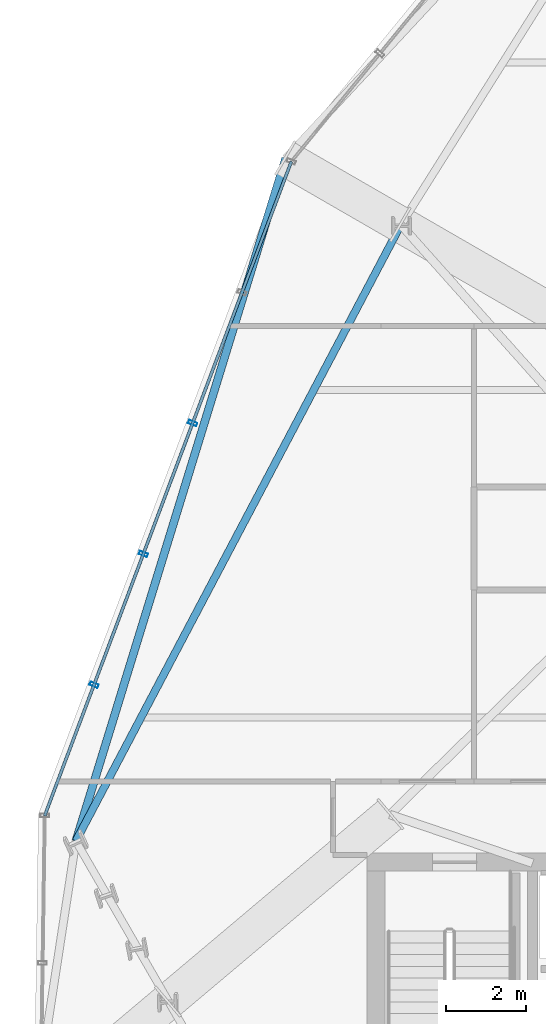
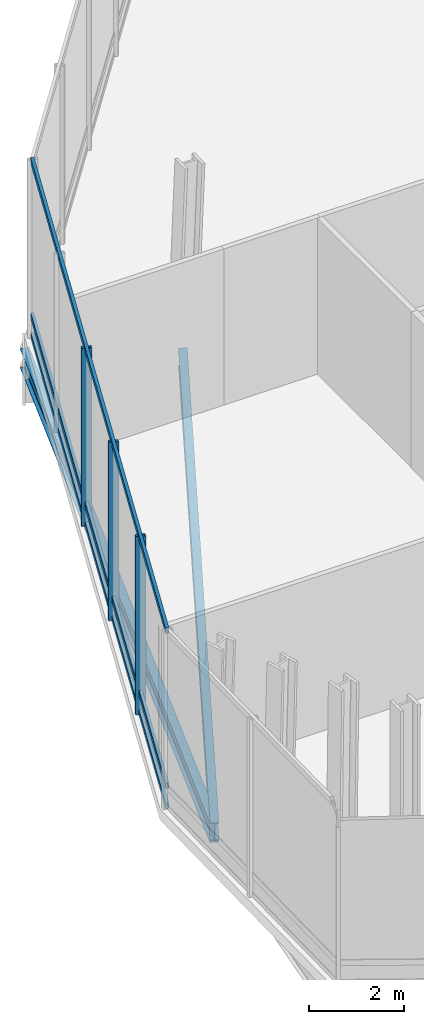
# One storey, part 6 of 26: 6 members, 2 beams, 1 element without a shape of its own.
"""IFC4 building model written with IfcOpenShell, lengths in metres."""

import ifcopenshell
import ifcopenshell.guid

model = None  # the IFC model being written
_history = None  # IfcOwnerHistory: only IFC2X3 demands one
_inside = {}  # id of a spatial element -> (the spatial element, [elements in it])
_under = {}  # id of a project, library or spatial element -> (it, [spatial elements below it])
_declared = {}  # id of a project -> (the project, [libraries it declares])
_typed = {}  # id of a type object -> (the type object, [elements of that type])
_made_of = {}  # id of a material, layer set ... -> (it, [elements and type objects made of it])


def new_model(schema):
    """Start an empty IFC model of exactly this schema.

    Asked for "IFC4X3", IfcOpenShell would pick the latest addendum, in which some entities
    have other attributes; the version numbers below select the first issue.
    IFC2X3 requires an IfcOwnerHistory on every rooted entity: one is made here for all.
    """
    global model, _history
    if schema == "IFC4X3":
        model = ifcopenshell.file(schema_version=(4, 3, 0, 0))
    else:
        model = ifcopenshell.file(schema=schema)
    _inside.clear()
    _under.clear()
    _declared.clear()
    _typed.clear()
    _made_of.clear()
    _history = None
    if model.schema == "IFC2X3":
        org = make("IfcOrganization", Name="unknown")
        user = make(
            "IfcPersonAndOrganization",
            ThePerson=make("IfcPerson", FamilyName="unknown"),
            TheOrganization=org,
        )
        app = make(
            "IfcApplication",
            ApplicationDeveloper=org,
            Version="unknown",
            ApplicationFullName="unknown",
            ApplicationIdentifier="unknown",
        )
        _history = make(
            "IfcOwnerHistory",
            OwningUser=user,
            OwningApplication=app,
            ChangeAction="ADDED",
            CreationDate=0,
        )
    return model


def make(cls, **values):
    """One entity of the class cls with the attributes given. An attribute that is None is left unset."""
    return model.create_entity(
        cls, **{name: value for name, value in values.items() if value is not None}
    )


def rooted(cls, **values):
    """An entity with a GlobalId (a new one), such as an element, a storey or a relation."""
    return make(cls, GlobalId=ifcopenshell.guid.new(), OwnerHistory=_history, **values)


def si_unit(unit_type, name, prefix=None):
    """IfcSIUnit, for example si_unit("LENGTHUNIT", "METRE", prefix="MILLI")."""
    return make("IfcSIUnit", UnitType=unit_type, Prefix=prefix, Name=name)


def assignment(units):
    """IfcUnitAssignment: the units of a project."""
    return None if units is None else make("IfcUnitAssignment", Units=units)


def point(xyz):
    """IfcCartesianPoint."""
    return None if xyz is None else make("IfcCartesianPoint", Coordinates=xyz)


def direction(xyz):
    """IfcDirection."""
    return None if xyz is None else make("IfcDirection", DirectionRatios=xyz)


def frame(location, z_axis=None, x_axis=None):
    """IfcAxis2Placement3D, a coordinate frame: its origin and axes. An axis left out is left unset."""
    return make(
        "IfcAxis2Placement3D",
        Location=point(location),
        Axis=direction(z_axis),
        RefDirection=direction(x_axis),
    )


def frame_2d(location, x_axis=None):
    """IfcAxis2Placement2D, a coordinate frame in the plane: its origin and x axis."""
    return make(
        "IfcAxis2Placement2D", Location=point(location), RefDirection=direction(x_axis)
    )


def origin():
    """The frame at (0, 0, 0) with its axes left unset."""
    return frame((0.0, 0.0, 0.0))


def origin_2d():
    """The frame at (0, 0) in the plane with its x axis left unset."""
    return frame_2d((0.0, 0.0))


def place(relative_to, where):
    """IfcLocalPlacement: puts the frame where relative to a parent placement (None: the world)."""
    return make(
        "IfcLocalPlacement", PlacementRelTo=relative_to, RelativePlacement=where
    )


def context(
    kind, dimensions, precision=None, world=None, true_north=None, identifier=None
):
    """IfcGeometricRepresentationContext, for example the 3D "Model" context."""
    return make(
        "IfcGeometricRepresentationContext",
        ContextIdentifier=identifier,
        ContextType=kind,
        CoordinateSpaceDimension=dimensions,
        Precision=precision,
        WorldCoordinateSystem=world,
        TrueNorth=true_north,
    )


def subcontext(parent, identifier, kind, view, scale=None):
    """IfcGeometricRepresentationSubContext, for example "Body" below "Model"."""
    return make(
        "IfcGeometricRepresentationSubContext",
        ContextIdentifier=identifier,
        ContextType=kind,
        ParentContext=parent,
        TargetScale=scale,
        TargetView=view,
    )


def project(units=None, contexts=None):
    """IfcProject with its units and contexts."""
    return rooted(
        "IfcProject",
        Name="project",
        RepresentationContexts=contexts,
        UnitsInContext=assignment(units),
    )


def spatial(cls, under=None, at=None, **own):
    """A site, building, storey or space (cls), placed at a placement, below another one or the project."""
    s = rooted(cls, ObjectPlacement=at, **own)
    if under is not None:
        _under.setdefault(under.id(), (under, []))[1].append(s)
    return s


def profile(cls, at=None, kind="AREA", **sizes):
    """A parametric profile (cls). Its sizes go by their IFC names, for example OverallWidth=200.0."""
    return make(cls, ProfileType=kind, Position=at, **sizes)


def hollow_rectangle(**sizes):
    """IfcRectangleHollowProfileDef."""
    return profile("IfcRectangleHollowProfileDef", **sizes)


def i_section(**sizes):
    """IfcIShapeProfileDef."""
    return profile("IfcIShapeProfileDef", **sizes)


def extrude(swept, where, along, depth):
    """IfcExtrudedAreaSolid: the profile swept, set in the frame where, extruded along a direction by depth."""
    return make(
        "IfcExtrudedAreaSolid",
        SweptArea=swept,
        Position=where,
        ExtrudedDirection=direction(along),
        Depth=depth,
    )


def shape(context_of_items, identifier, shape_type, items):
    """IfcShapeRepresentation: the items that make up one representation, for example the "Body"."""
    return make(
        "IfcShapeRepresentation",
        ContextOfItems=context_of_items,
        RepresentationIdentifier=identifier,
        RepresentationType=shape_type,
        Items=items,
    )


def material(Name=None, Category=None):
    """IfcMaterial."""
    return make("IfcMaterial", Name=Name, Category=Category)


def layer(
    of_material, thickness, ventilated=None, Name=None, Category=None, Priority=None
):
    """IfcMaterialLayer: one layer of a wall or slab, of a material (None: an air gap)."""
    return make(
        "IfcMaterialLayer",
        Material=of_material,
        LayerThickness=thickness,
        IsVentilated=ventilated,
        Name=Name,
        Category=Category,
        Priority=Priority,
    )


def layer_set(layers, Name=None):
    """IfcMaterialLayerSet."""
    return make("IfcMaterialLayerSet", MaterialLayers=layers, LayerSetName=Name)


def material_profile(
    of_material, cross_section, Name=None, Category=None, Priority=None
):
    """IfcMaterialProfile: a cross section and its material."""
    return make(
        "IfcMaterialProfile",
        Name=Name,
        Material=of_material,
        Profile=cross_section,
        Priority=Priority,
        Category=Category,
    )


def profile_set(profiles, Name=None, composite=None):
    """IfcMaterialProfileSet."""
    return make(
        "IfcMaterialProfileSet",
        Name=Name,
        MaterialProfiles=profiles,
        CompositeProfile=composite,
    )


def made_of(thing, what):
    """Note that an element or type object is made of a material, layer set ...; save() writes the relation."""
    if what is not None:
        _made_of.setdefault(what.id(), (what, []))[1].append(thing)
    return thing


def type_object(cls, material=None, **own):
    """A type object (cls), such as IfcWallType, which elements share."""
    return made_of(rooted(cls, **own), material)


def element(
    cls,
    number,
    at=None,
    inside=None,
    cuts=None,
    type_object=None,
    material=None,
    context=None,
    identifier="Body",
    shape_type=None,
    held_by="IfcProductDefinitionShape",
    body=None,
    shapes=None,
    **own,
):
    """One element of the class cls, such as IfcWall. Its Tag is "e" and its number.

    at: its placement. inside: the storey or other place that contains it. cuts: it is an
    opening in that element (IfcRelVoidsElement). A single representation is given by context,
    identifier, shape_type and body (its items); several are given by shapes. held_by: the class
    of the entity that holds the representations. save() writes the other relations.
    """
    e = rooted(cls, Tag="e%d" % number, ObjectPlacement=at, **own)
    if body is not None:
        shapes = [shape(context, identifier, shape_type, body)]
    if shapes is not None:
        e.Representation = make(held_by, Representations=shapes)
    if inside is not None:
        _inside.setdefault(inside.id(), (inside, []))[1].append(e)
    if cuts is not None:
        rooted(
            "IfcRelVoidsElement", RelatingBuildingElement=cuts, RelatedOpeningElement=e
        )
    if type_object is not None:
        _typed.setdefault(type_object.id(), (type_object, []))[1].append(e)
    return made_of(e, material)


def aggregate(whole, parts):
    """IfcRelAggregates: a whole, such as a stair, and the parts it consists of."""
    return rooted("IfcRelAggregates", RelatingObject=whole, RelatedObjects=parts)


def save(model, path):
    """Write the relations noted so far, then the file.

    IfcRelAggregates (storeys below a building ...), IfcRelContainedInSpatialStructure (elements
    in a storey), IfcRelDefinesByType, IfcRelAssociatesMaterial and IfcRelDeclares: one each for
    every whole, place, type object, material and project.
    """
    for whole, parts in _under.values():
        aggregate(whole, parts)
    for where, things in _inside.values():
        rooted(
            "IfcRelContainedInSpatialStructure",
            RelatedElements=things,
            RelatingStructure=where,
        )
    for kind, things in _typed.values():
        rooted("IfcRelDefinesByType", RelatedObjects=things, RelatingType=kind)
    for what, things in _made_of.values():
        rooted("IfcRelAssociatesMaterial", RelatedObjects=things, RelatingMaterial=what)
    for by, libraries in _declared.values():
        rooted("IfcRelDeclares", RelatingContext=by, RelatedDefinitions=libraries)
    model.write(path)


model = new_model("IFC4")

# Units and contexts
model_context = context("Model", 3, precision=1e-05, world=origin(), true_north=direction((0.0, 1.0)))
body_context = subcontext(model_context, "Body", "Model", "MODEL_VIEW")
ifc_project = project(units=[si_unit("LENGTHUNIT", "METRE"), si_unit("AREAUNIT", "SQUARE_METRE"), si_unit("VOLUMEUNIT", "CUBIC_METRE"), si_unit("PLANEANGLEUNIT", "RADIAN"), si_unit("MASSUNIT", "GRAM", prefix="KILO")], contexts=[model_context])

# Site, building, storey
site_placement = place(None, origin())
site = spatial("IfcSite", under=ifc_project, at=site_placement, CompositionType="ELEMENT")
building_placement = place(site_placement, origin())
building = spatial("IfcBuilding", under=site, at=building_placement, Name="Ndaravel Arena Tower", CompositionType="ELEMENT")
storey_placement = place(building_placement, frame((0.0, 0.0, 122.199951171875)))
storey = spatial("IfcBuildingStorey", under=building, at=storey_placement, Name="L28", CompositionType="ELEMENT", Elevation=122.199951171875)

# Beams
ifc_material_1 = material(Name="Steel S355", Category="steel")
ifc_material_profile_1 = material_profile(ifc_material_1, i_section(OverallWidth=0.18994140625, OverallDepth=0.449951171875, WebThickness=0.009521484375, FlangeThickness=0.0146484375, FilletRadius=0.02099609375, at=origin_2d()), Name="IPE 450")
ifc_profile_set_1 = profile_set([ifc_material_profile_1], Name="Steel S355")
beam_type_1 = type_object("IfcBeamType", Name="BM-SPAN-IPE450", PredefinedType="SPANDREL", material=ifc_profile_set_1)
beam_1_placement = place(storey_placement, frame((27.3017578125, 30.938232421875, -0.5048828125), z_axis=(-0.466468281773, -0.884537925756, 0.0), x_axis=(0.884537925756, -0.466468281773, 0.0)))
element("IfcBeam", 1, at=beam_1_placement, inside=storey, type_object=beam_type_1, Name="L28 Perimeter Spandrel Beam SP-19", PredefinedType="SPANDREL", context=body_context, shape_type="SweptSolid", body=[
    extrude(i_section(OverallWidth=0.18994140625, OverallDepth=0.449951171875, WebThickness=0.009521484375, FlangeThickness=0.0146484375, FilletRadius=0.02099609375, at=origin_2d()), origin(), (0.0, 0.0, 1.0), 17.448486328125),
])
ifc_material_2 = material(Name="Steel S355", Category="steel")
ifc_material_profile_2 = material_profile(ifc_material_2, i_section(OverallWidth=0.199951171875, OverallDepth=0.5, WebThickness=0.01025390625, FlangeThickness=0.01611328125, FilletRadius=0.02099609375, at=origin_2d()), Name="IPE 500")
ifc_profile_set_2 = profile_set([ifc_material_profile_2], Name="Steel S355")
beam_type_2 = type_object("IfcBeamType", Name="BM-SPAN-IPE500", PredefinedType="SPANDREL", material=ifc_profile_set_2)
beam_2_placement = place(storey_placement, frame((24.417724609375, 32.603271484375, -0.530029296875), z_axis=(-0.293776057664, -0.95587427413, 0.0), x_axis=(0.95587427413, -0.293776057664, 0.0)))
element("IfcBeam", 2, at=beam_2_placement, inside=storey, type_object=beam_type_2, Name="L28 Star Facet Edge Beam SEB-6", PredefinedType="SPANDREL", context=body_context, shape_type="SweptSolid", body=[
    extrude(i_section(OverallWidth=0.199951171875, OverallDepth=0.5, WebThickness=0.01025390625, FlangeThickness=0.01611328125, FilletRadius=0.02099609375, at=origin_2d()), origin(), (0.0, 0.0, 1.0), 17.88818359375),
])

# Curtain wall, members
ifc_material_3 = material(Name="Aluminium", Category="aluminium")
ifc_layer = layer(ifc_material_3, 0.179931640625)
ifc_layer_set = layer_set([ifc_layer], Name="Aluminium")
curtain_wall_type = type_object("IfcCurtainWallType", Name="CW-SYS-04", PredefinedType="NOTDEFINED", material=ifc_layer_set)
curtain_wall_placement = place(storey_placement, origin())
curtain_wall = element("IfcCurtainWall", 3, at=curtain_wall_placement, inside=storey, type_object=curtain_wall_type, Name="L28 Faceted Crystal Curtain Wall CW-L28-E11", PredefinedType="NOTDEFINED")
ifc_material_4 = material(Name="Aluminium", Category="aluminium")
ifc_material_profile_3 = material_profile(ifc_material_4, hollow_rectangle(XDim=0.090087890625, YDim=0.219970703125, WallThickness=0.0048828125, at=origin_2d()), Name="CW MULLION 90x220x5")
ifc_profile_set_3 = profile_set([ifc_material_profile_3], Name="Aluminium")
member_type_1 = type_object("IfcMemberType", Name="MEM-CW-MUL220", PredefinedType="MULLION", material=ifc_profile_set_3)
member_1_placement = place(storey_placement, frame((22.087646484375, 25.97021484375, 0.0), z_axis=(0.0, 0.0, 1.0), x_axis=(-0.352805363625, -0.935696732599, 0.0)))
member_1 = element("IfcMember", 4, at=member_1_placement, type_object=member_type_1, Name="CW-L28-E11 Mullion 02", PredefinedType="MULLION", context=body_context, shape_type="SweptSolid", body=[
    extrude(hollow_rectangle(XDim=0.090087890625, YDim=0.219970703125, WallThickness=0.0048828125, at=origin_2d()), origin(), (0.0, 0.0, 1.0), 4.580078125),
])
member_2_placement = place(storey_placement, frame((20.8525390625, 22.6943359375, 0.0), z_axis=(0.0, 0.0, 1.0), x_axis=(-0.352805363625, -0.935696732599, 0.0)))
member_2 = element("IfcMember", 5, at=member_2_placement, type_object=member_type_1, Name="CW-L28-E11 Mullion 03", PredefinedType="MULLION", context=body_context, shape_type="SweptSolid", body=[
    extrude(hollow_rectangle(XDim=0.090087890625, YDim=0.219970703125, WallThickness=0.0048828125, at=origin_2d()), origin(), (0.0, 0.0, 1.0), 4.580078125),
])
member_3_placement = place(storey_placement, frame((19.6171875, 19.418212890625, 0.0), z_axis=(0.0, 0.0, 1.0), x_axis=(-0.352805363625, -0.935696732599, 0.0)))
member_3 = element("IfcMember", 6, at=member_3_placement, type_object=member_type_1, Name="CW-L28-E11 Mullion 04", PredefinedType="MULLION", context=body_context, shape_type="SweptSolid", body=[
    extrude(hollow_rectangle(XDim=0.090087890625, YDim=0.219970703125, WallThickness=0.0048828125, at=origin_2d()), origin(), (0.0, 0.0, 1.0), 4.580078125),
])
ifc_material_5 = material(Name="Aluminium", Category="aluminium")
ifc_material_profile_4 = material_profile(ifc_material_5, hollow_rectangle(XDim=0.074951171875, YDim=0.14990234375, WallThickness=0.00390625, at=origin_2d()), Name="CW TRANSOM 75x150x4")
ifc_profile_set_4 = profile_set([ifc_material_profile_4], Name="Aluminium")
member_type_2 = type_object("IfcMemberType", Name="MEM-CW-TRN150", PredefinedType="USERDEFINED", material=ifc_profile_set_4)
member_4_placement = place(storey_placement, frame((24.55810546875, 32.522216796875, 0.0400390625), z_axis=(-0.352804095043, -0.935697210919, 0.0), x_axis=(0.935697210919, -0.352804095043, 0.0)))
member_4 = element("IfcMember", 7, at=member_4_placement, type_object=member_type_2, Name="CW-L28-E11 Transom 01", ObjectType="TRANSOM", PredefinedType="USERDEFINED", context=body_context, shape_type="SweptSolid", body=[
    extrude(hollow_rectangle(XDim=0.074951171875, YDim=0.14990234375, WallThickness=0.00390625, at=origin_2d()), origin(), (0.0, 0.0, 1.0), 17.505615234375),
])
member_5_placement = place(storey_placement, frame((24.55810546875, 32.522216796875, 0.550048828125), z_axis=(-0.352804095043, -0.935697210919, 0.0), x_axis=(0.935697210919, -0.352804095043, 0.0)))
member_5 = element("IfcMember", 8, at=member_5_placement, type_object=member_type_2, Name="CW-L28-E11 Transom 02", ObjectType="TRANSOM", PredefinedType="USERDEFINED", context=body_context, shape_type="SweptSolid", body=[
    extrude(hollow_rectangle(XDim=0.074951171875, YDim=0.14990234375, WallThickness=0.00390625, at=origin_2d()), origin(), (0.0, 0.0, 1.0), 17.505615234375),
])
member_6_placement = place(storey_placement, frame((24.55810546875, 32.522216796875, 4.5400390625), z_axis=(-0.352804095043, -0.935697210919, 0.0), x_axis=(0.935697210919, -0.352804095043, 0.0)))
member_6 = element("IfcMember", 9, at=member_6_placement, type_object=member_type_2, Name="CW-L28-E11 Transom 03", ObjectType="TRANSOM", PredefinedType="USERDEFINED", context=body_context, shape_type="SweptSolid", body=[
    extrude(hollow_rectangle(XDim=0.074951171875, YDim=0.14990234375, WallThickness=0.00390625, at=origin_2d()), origin(), (0.0, 0.0, 1.0), 17.505615234375),
])
aggregate(curtain_wall, [member_1, member_2, member_3, member_4, member_5, member_6])

save(model, "model.ifc")
